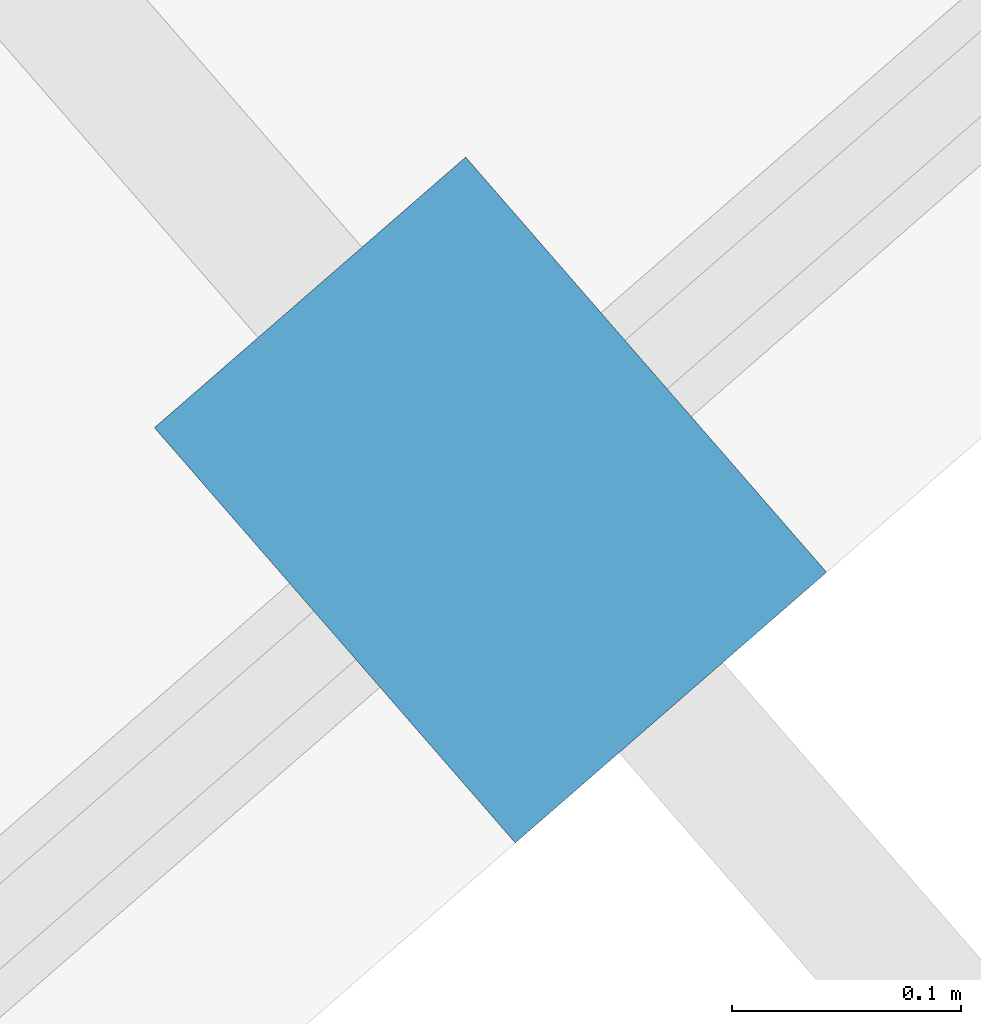
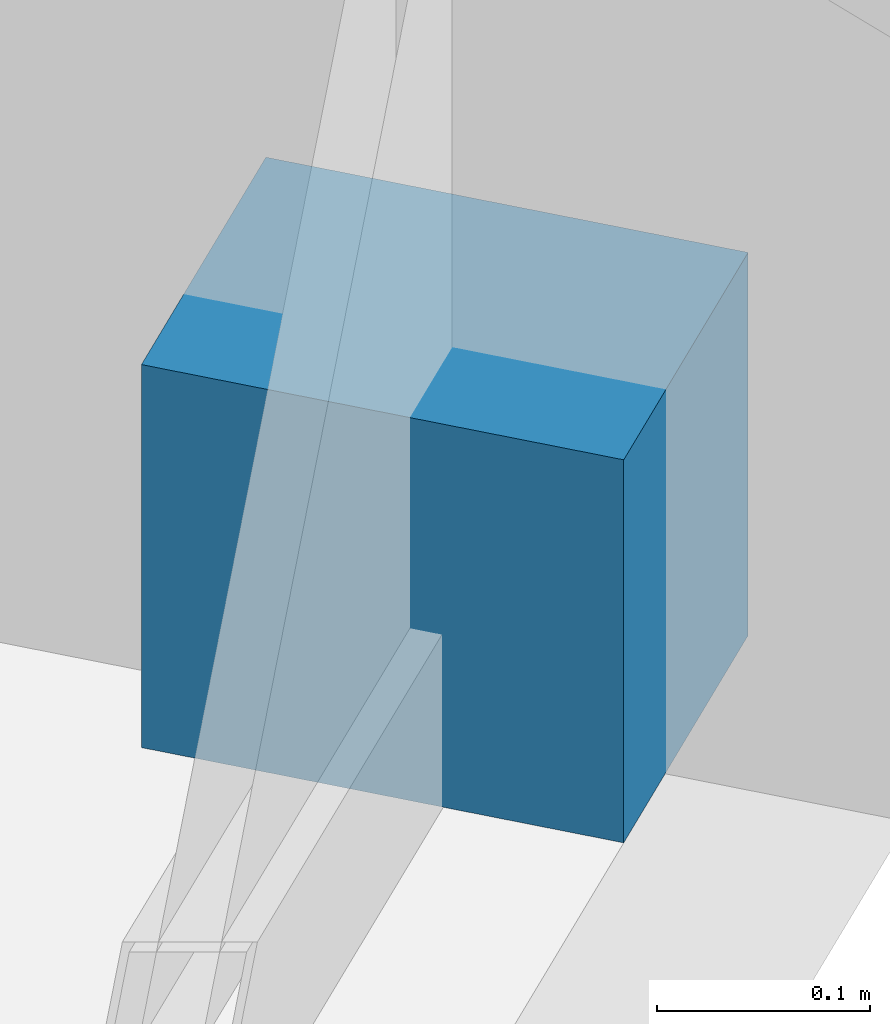
# One storey, part 22 of 25: 1 discrete accessory.
"""IFC4 building model written with IfcOpenShell, lengths in metres."""

from ifc_helpers import new_model, si_unit, direction, frame, origin, origin_2d, place, context, subcontext, project, spatial, rectangle, extrude, material, type_object, element, save


model = new_model("IFC4")

# Units and contexts
model_context = context("Model", 3, precision=1e-05, world=origin(), true_north=direction((0.0, 1.0)))
body_context = subcontext(model_context, "Body", "Model", "MODEL_VIEW")
ifc_project = project(units=[si_unit("LENGTHUNIT", "METRE"), si_unit("AREAUNIT", "SQUARE_METRE"), si_unit("VOLUMEUNIT", "CUBIC_METRE"), si_unit("PLANEANGLEUNIT", "RADIAN"), si_unit("MASSUNIT", "GRAM", prefix="KILO")], contexts=[model_context])

# Site, building, storey
site_placement = place(None, origin())
site = spatial("IfcSite", under=ifc_project, at=site_placement, CompositionType="ELEMENT")
building_placement = place(site_placement, origin())
building = spatial("IfcBuilding", under=site, at=building_placement, Name="Kravanh Interchange Tower", CompositionType="ELEMENT")
storey_placement = place(building_placement, frame((0.0, 0.0, 81.5)))
storey = spatial("IfcBuildingStorey", under=building, at=storey_placement, Name="L19", CompositionType="ELEMENT", Elevation=81.5)

# Discrete accessory
ifc_material = material(Name="Stainless Steel 316", Category="steel")
discrete_accessory_type = type_object("IfcDiscreteAccessoryType", Name="Solar Fin Curtain-Wall Mounting Bracket Stainless 316", PredefinedType="BRACKET", material=ifc_material)
discrete_accessory_placement = place(storey_placement, frame((62.16943359375, 2.328369140625, 0.0), z_axis=(0.0, 0.0, 1.0), x_axis=(0.656067828783, -0.754701930589, 0.0)))
element("IfcDiscreteAccessory", 1, at=discrete_accessory_placement, inside=storey, type_object=discrete_accessory_type, Name="L19 Solar Fin Mounting Bracket 2", PredefinedType="BRACKET", context=body_context, shape_type="SweptSolid", body=[
    extrude(rectangle(XDim=0.239990234375, YDim=0.179931640625, at=origin_2d()), origin(), (0.0, 0.0, 1.0), 0.219970703125),
])

save(model, "model.ifc")
